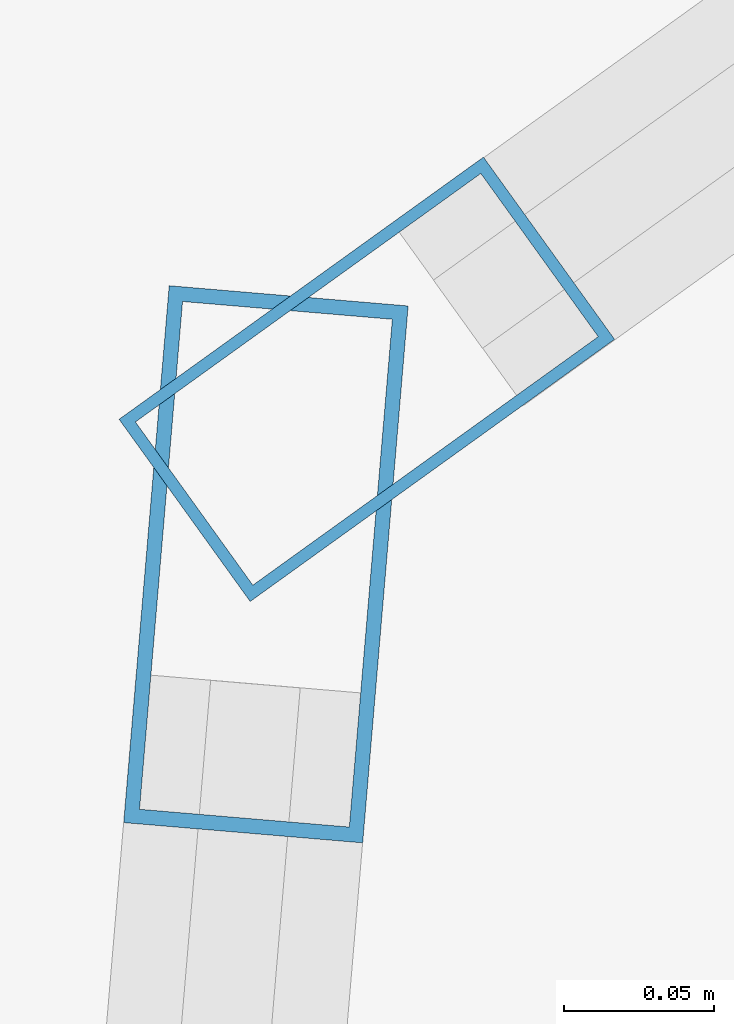
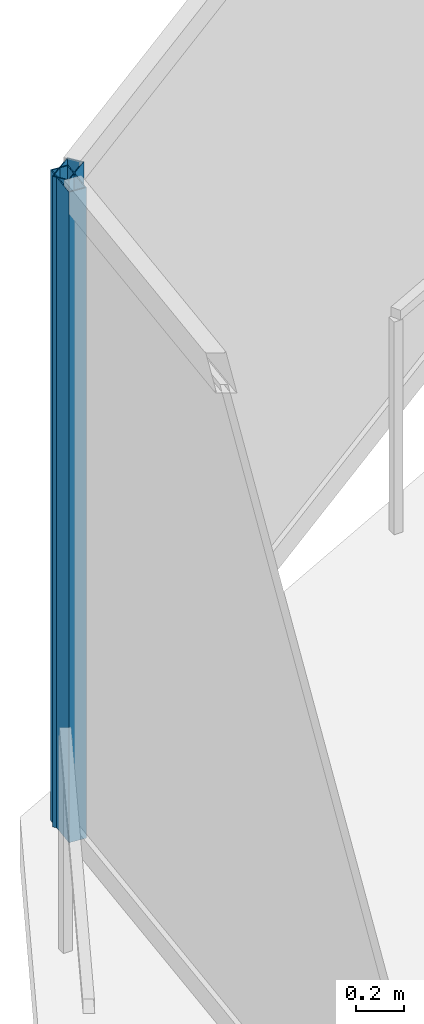
# One storey, part 17 of 30: 2 members, 2 elements without a shape of their own.
"""IFC4 building model written with IfcOpenShell, lengths in metres."""

from ifc_helpers import new_model, si_unit, direction, frame, origin, origin_2d, place, context, subcontext, project, spatial, hollow_rectangle, extrude, material, layer, layer_set, material_profile, profile_set, type_object, element, aggregate, save


model = new_model("IFC4")

# Units and contexts
model_context = context("Model", 3, precision=1e-05, world=origin(), true_north=direction((0.0, 1.0)))
body_context = subcontext(model_context, "Body", "Model", "MODEL_VIEW")
ifc_project = project(units=[si_unit("LENGTHUNIT", "METRE"), si_unit("AREAUNIT", "SQUARE_METRE"), si_unit("VOLUMEUNIT", "CUBIC_METRE"), si_unit("PLANEANGLEUNIT", "RADIAN"), si_unit("MASSUNIT", "GRAM", prefix="KILO")], contexts=[model_context])

# Site, building, storey
site_placement = place(None, origin())
site = spatial("IfcSite", under=ifc_project, at=site_placement, CompositionType="ELEMENT")
building_placement = place(site_placement, origin())
building = spatial("IfcBuilding", under=site, at=building_placement, Name="Kazevale Care Tower and Concert Hall", CompositionType="ELEMENT")
storey_placement = place(building_placement, frame((0.0, 0.0, 88.800048828125)))
storey = spatial("IfcBuildingStorey", under=building, at=storey_placement, Name="L23", CompositionType="ELEMENT", Elevation=88.800048828125)

# Curtain wall, member
ifc_material_1 = material(Name="Aluminium 6063-T6 and Low-E Glass", Category="aluminium")
ifc_layer_1 = layer(ifc_material_1, 0.179931640625)
ifc_layer_set_1 = layer_set([ifc_layer_1], Name="Aluminium 6063-T6 and Low-E Glass")
curtain_wall_type_1 = type_object("IfcCurtainWallType", Name="Convex Recessed Sunroom Curtain Wall CW-3", PredefinedType="NOTDEFINED", material=ifc_layer_set_1)
curtain_wall_1_placement = place(storey_placement, origin())
curtain_wall_1 = element("IfcCurtainWall", 1, at=curtain_wall_1_placement, inside=storey, type_object=curtain_wall_type_1, Name="cw:L23:f14", PredefinedType="NOTDEFINED")
ifc_material_2 = material(Name="Aluminium 6063-T6", Category="aluminium")
ifc_material_profile_1 = material_profile(ifc_material_2, hollow_rectangle(XDim=0.074951171875, YDim=0.14990234375, WallThickness=0.00390625, at=origin_2d()), Name="ALU75x150x4")
ifc_profile_set_1 = profile_set([ifc_material_profile_1], Name="Aluminium 6063-T6")
member_type_1 = type_object("IfcMemberType", Name="CW-3 Mullion ALU75x150x4", PredefinedType="MULLION", material=ifc_profile_set_1)
member_1_placement = place(storey_placement, frame((13.494384765625, 50.18701171875, 0.0), z_axis=(0.0, 0.0, 1.0), x_axis=(-0.583994227391, 0.811757810171, 0.0)))
member_1 = element("IfcMember", 2, at=member_1_placement, type_object=member_type_1, Name="CW-3 mullion 1", PredefinedType="MULLION", context=body_context, shape_type="SweptSolid", body=[
    extrude(hollow_rectangle(XDim=0.074951171875, YDim=0.14990234375, WallThickness=0.00390625, at=origin_2d()), origin(), (0.0, 0.0, 1.0), 3.280029296875),
])
aggregate(curtain_wall_1, [member_1])

ifc_layer_2 = layer(ifc_material_1, 0.179931640625)
ifc_layer_set_2 = layer_set([ifc_layer_2], Name="Aluminium 6063-T6 and Low-E Glass")
curtain_wall_type_2 = type_object("IfcCurtainWallType", Name="Waist & Upper Residential Curtain Wall CW-4", PredefinedType="NOTDEFINED", material=ifc_layer_set_2)
curtain_wall_2_placement = place(storey_placement, origin())
curtain_wall_2 = element("IfcCurtainWall", 3, at=curtain_wall_2_placement, inside=storey, type_object=curtain_wall_type_2, Name="cw:L23:f13", PredefinedType="NOTDEFINED")
ifc_material_profile_2 = material_profile(ifc_material_2, hollow_rectangle(XDim=0.080078125, YDim=0.179931640625, WallThickness=0.0048828125, at=origin_2d()), Name="ALU80x180x5")
ifc_profile_set_2 = profile_set([ifc_material_profile_2], Name="Aluminium 6063-T6")
member_type_2 = type_object("IfcMemberType", Name="CW-4 Mullion ALU80x180x5", PredefinedType="MULLION", material=ifc_profile_set_2)
member_2_placement = place(storey_placement, frame((13.460693359375, 50.125244140625, 0.0), z_axis=(0.0, 0.0, 1.0), x_axis=(-0.996430849754, 0.084413041998, 0.0)))
member_2 = element("IfcMember", 4, at=member_2_placement, type_object=member_type_2, Name="CW-4 mullion 2", PredefinedType="MULLION", context=body_context, shape_type="SweptSolid", body=[
    extrude(hollow_rectangle(XDim=0.080078125, YDim=0.179931640625, WallThickness=0.0048828125, at=origin_2d()), origin(), (0.0, 0.0, 1.0), 3.280029296875),
])
aggregate(curtain_wall_2, [member_2])

save(model, "model.ifc")
